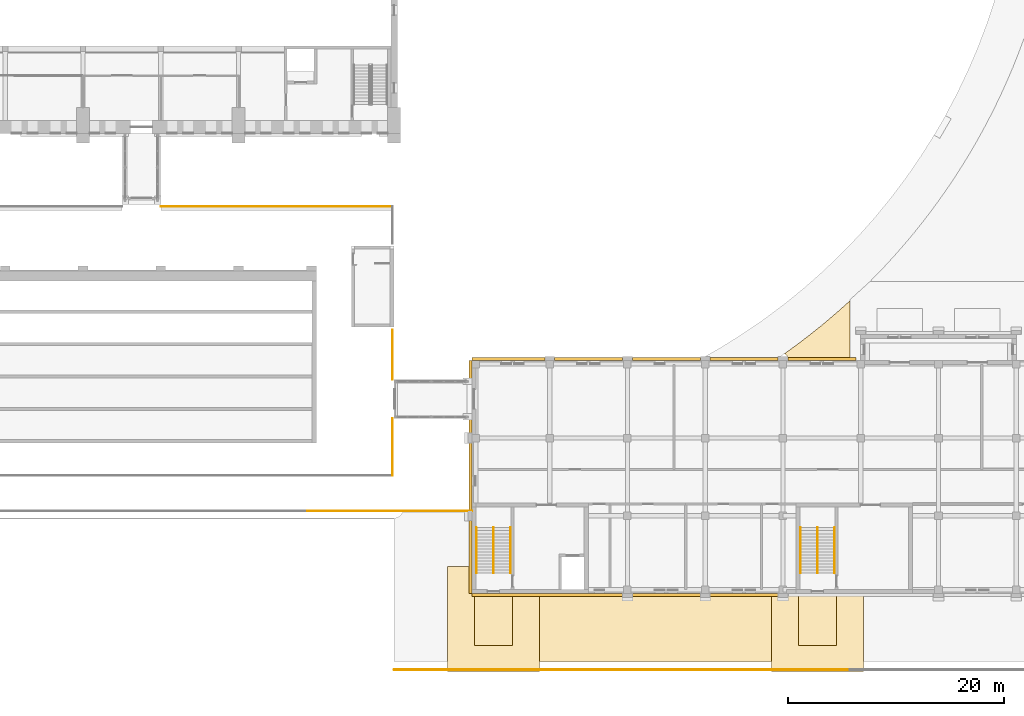
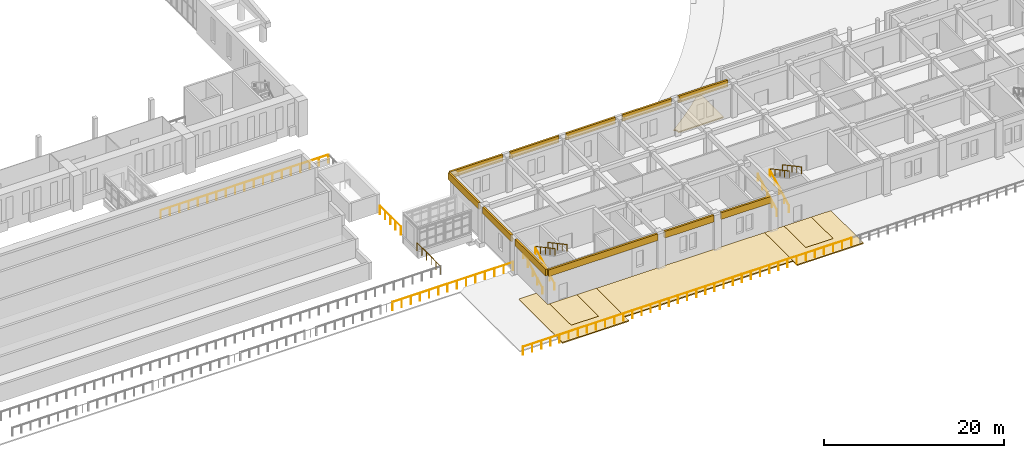
# One storey, part 121 of 131: 17 coverings, 16 railings.
"""IFC4 building model written with IfcOpenShell, lengths in metres."""

import ifcopenshell
import ifcopenshell.guid

model = None  # the IFC model being written
_history = None  # IfcOwnerHistory: only IFC2X3 demands one
_inside = {}  # id of a spatial element -> (the spatial element, [elements in it])
_under = {}  # id of a project, library or spatial element -> (it, [spatial elements below it])
_declared = {}  # id of a project -> (the project, [libraries it declares])
_typed = {}  # id of a type object -> (the type object, [elements of that type])
_made_of = {}  # id of a material, layer set ... -> (it, [elements and type objects made of it])


def new_model(schema):
    """Start an empty IFC model of exactly this schema.

    Asked for "IFC4X3", IfcOpenShell would pick the latest addendum, in which some entities
    have other attributes; the version numbers below select the first issue.
    IFC2X3 requires an IfcOwnerHistory on every rooted entity: one is made here for all.
    """
    global model, _history
    if schema == "IFC4X3":
        model = ifcopenshell.file(schema_version=(4, 3, 0, 0))
    else:
        model = ifcopenshell.file(schema=schema)
    _inside.clear()
    _under.clear()
    _declared.clear()
    _typed.clear()
    _made_of.clear()
    _history = None
    if model.schema == "IFC2X3":
        org = make("IfcOrganization", Name="unknown")
        user = make(
            "IfcPersonAndOrganization",
            ThePerson=make("IfcPerson", FamilyName="unknown"),
            TheOrganization=org,
        )
        app = make(
            "IfcApplication",
            ApplicationDeveloper=org,
            Version="unknown",
            ApplicationFullName="unknown",
            ApplicationIdentifier="unknown",
        )
        _history = make(
            "IfcOwnerHistory",
            OwningUser=user,
            OwningApplication=app,
            ChangeAction="ADDED",
            CreationDate=0,
        )
    return model


def make(cls, **values):
    """One entity of the class cls with the attributes given. An attribute that is None is left unset."""
    return model.create_entity(
        cls, **{name: value for name, value in values.items() if value is not None}
    )


def rooted(cls, **values):
    """An entity with a GlobalId (a new one), such as an element, a storey or a relation."""
    return make(cls, GlobalId=ifcopenshell.guid.new(), OwnerHistory=_history, **values)


def si_unit(unit_type, name, prefix=None):
    """IfcSIUnit, for example si_unit("LENGTHUNIT", "METRE", prefix="MILLI")."""
    return make("IfcSIUnit", UnitType=unit_type, Prefix=prefix, Name=name)


def assignment(units):
    """IfcUnitAssignment: the units of a project."""
    return None if units is None else make("IfcUnitAssignment", Units=units)


def point(xyz):
    """IfcCartesianPoint."""
    return None if xyz is None else make("IfcCartesianPoint", Coordinates=xyz)


def direction(xyz):
    """IfcDirection."""
    return None if xyz is None else make("IfcDirection", DirectionRatios=xyz)


def frame(location, z_axis=None, x_axis=None):
    """IfcAxis2Placement3D, a coordinate frame: its origin and axes. An axis left out is left unset."""
    return make(
        "IfcAxis2Placement3D",
        Location=point(location),
        Axis=direction(z_axis),
        RefDirection=direction(x_axis),
    )


def frame_2d(location, x_axis=None):
    """IfcAxis2Placement2D, a coordinate frame in the plane: its origin and x axis."""
    return make(
        "IfcAxis2Placement2D", Location=point(location), RefDirection=direction(x_axis)
    )


def origin():
    """The frame at (0, 0, 0) with its axes left unset."""
    return frame((0.0, 0.0, 0.0))


def origin_2d():
    """The frame at (0, 0) in the plane with its x axis left unset."""
    return frame_2d((0.0, 0.0))


def place(relative_to, where):
    """IfcLocalPlacement: puts the frame where relative to a parent placement (None: the world)."""
    return make(
        "IfcLocalPlacement", PlacementRelTo=relative_to, RelativePlacement=where
    )


def context(
    kind, dimensions, precision=None, world=None, true_north=None, identifier=None
):
    """IfcGeometricRepresentationContext, for example the 3D "Model" context."""
    return make(
        "IfcGeometricRepresentationContext",
        ContextIdentifier=identifier,
        ContextType=kind,
        CoordinateSpaceDimension=dimensions,
        Precision=precision,
        WorldCoordinateSystem=world,
        TrueNorth=true_north,
    )


def subcontext(parent, identifier, kind, view, scale=None):
    """IfcGeometricRepresentationSubContext, for example "Body" below "Model"."""
    return make(
        "IfcGeometricRepresentationSubContext",
        ContextIdentifier=identifier,
        ContextType=kind,
        ParentContext=parent,
        TargetScale=scale,
        TargetView=view,
    )


def project(units=None, contexts=None):
    """IfcProject with its units and contexts."""
    return rooted(
        "IfcProject",
        Name="project",
        RepresentationContexts=contexts,
        UnitsInContext=assignment(units),
    )


def spatial(cls, under=None, at=None, **own):
    """A site, building, storey or space (cls), placed at a placement, below another one or the project."""
    s = rooted(cls, ObjectPlacement=at, **own)
    if under is not None:
        _under.setdefault(under.id(), (under, []))[1].append(s)
    return s


def polyline(points):
    """IfcPolyline through the points."""
    return make("IfcPolyline", Points=[point(p) for p in points])


def profile(cls, at=None, kind="AREA", **sizes):
    """A parametric profile (cls). Its sizes go by their IFC names, for example OverallWidth=200.0."""
    return make(cls, ProfileType=kind, Position=at, **sizes)


def rectangle(**sizes):
    """IfcRectangleProfileDef."""
    return profile("IfcRectangleProfileDef", **sizes)


def circle(**sizes):
    """IfcCircleProfileDef."""
    return profile("IfcCircleProfileDef", **sizes)


def outline(outer, holes=None, kind="AREA"):
    """IfcArbitraryClosedProfileDef: a profile drawn as a closed curve; with holes, ...WithVoids."""
    if holes is None:
        return make("IfcArbitraryClosedProfileDef", ProfileType=kind, OuterCurve=outer)
    return make(
        "IfcArbitraryProfileDefWithVoids",
        ProfileType=kind,
        OuterCurve=outer,
        InnerCurves=holes,
    )


def extrude(swept, where, along, depth):
    """IfcExtrudedAreaSolid: the profile swept, set in the frame where, extruded along a direction by depth."""
    return make(
        "IfcExtrudedAreaSolid",
        SweptArea=swept,
        Position=where,
        ExtrudedDirection=direction(along),
        Depth=depth,
    )


def shape(context_of_items, identifier, shape_type, items):
    """IfcShapeRepresentation: the items that make up one representation, for example the "Body"."""
    return make(
        "IfcShapeRepresentation",
        ContextOfItems=context_of_items,
        RepresentationIdentifier=identifier,
        RepresentationType=shape_type,
        Items=items,
    )


def material(Name=None, Category=None):
    """IfcMaterial."""
    return make("IfcMaterial", Name=Name, Category=Category)


def layer(
    of_material, thickness, ventilated=None, Name=None, Category=None, Priority=None
):
    """IfcMaterialLayer: one layer of a wall or slab, of a material (None: an air gap)."""
    return make(
        "IfcMaterialLayer",
        Material=of_material,
        LayerThickness=thickness,
        IsVentilated=ventilated,
        Name=Name,
        Category=Category,
        Priority=Priority,
    )


def layer_set(layers, Name=None):
    """IfcMaterialLayerSet."""
    return make("IfcMaterialLayerSet", MaterialLayers=layers, LayerSetName=Name)


def made_of(thing, what):
    """Note that an element or type object is made of a material, layer set ...; save() writes the relation."""
    if what is not None:
        _made_of.setdefault(what.id(), (what, []))[1].append(thing)
    return thing


def type_object(cls, material=None, **own):
    """A type object (cls), such as IfcWallType, which elements share."""
    return made_of(rooted(cls, **own), material)


def element(
    cls,
    number,
    at=None,
    inside=None,
    cuts=None,
    type_object=None,
    material=None,
    context=None,
    identifier="Body",
    shape_type=None,
    held_by="IfcProductDefinitionShape",
    body=None,
    shapes=None,
    **own,
):
    """One element of the class cls, such as IfcWall. Its Tag is "e" and its number.

    at: its placement. inside: the storey or other place that contains it. cuts: it is an
    opening in that element (IfcRelVoidsElement). A single representation is given by context,
    identifier, shape_type and body (its items); several are given by shapes. held_by: the class
    of the entity that holds the representations. save() writes the other relations.
    """
    e = rooted(cls, Tag="e%d" % number, ObjectPlacement=at, **own)
    if body is not None:
        shapes = [shape(context, identifier, shape_type, body)]
    if shapes is not None:
        e.Representation = make(held_by, Representations=shapes)
    if inside is not None:
        _inside.setdefault(inside.id(), (inside, []))[1].append(e)
    if cuts is not None:
        rooted(
            "IfcRelVoidsElement", RelatingBuildingElement=cuts, RelatedOpeningElement=e
        )
    if type_object is not None:
        _typed.setdefault(type_object.id(), (type_object, []))[1].append(e)
    return made_of(e, material)


def aggregate(whole, parts):
    """IfcRelAggregates: a whole, such as a stair, and the parts it consists of."""
    return rooted("IfcRelAggregates", RelatingObject=whole, RelatedObjects=parts)


def save(model, path):
    """Write the relations noted so far, then the file.

    IfcRelAggregates (storeys below a building ...), IfcRelContainedInSpatialStructure (elements
    in a storey), IfcRelDefinesByType, IfcRelAssociatesMaterial and IfcRelDeclares: one each for
    every whole, place, type object, material and project.
    """
    for whole, parts in _under.values():
        aggregate(whole, parts)
    for where, things in _inside.values():
        rooted(
            "IfcRelContainedInSpatialStructure",
            RelatedElements=things,
            RelatingStructure=where,
        )
    for kind, things in _typed.values():
        rooted("IfcRelDefinesByType", RelatedObjects=things, RelatingType=kind)
    for what, things in _made_of.values():
        rooted("IfcRelAssociatesMaterial", RelatedObjects=things, RelatingMaterial=what)
    for by, libraries in _declared.values():
        rooted("IfcRelDeclares", RelatingContext=by, RelatedDefinitions=libraries)
    model.write(path)


model = new_model("IFC4")

# Units and contexts
model_context = context("Model", 3, precision=1e-05, world=origin(), true_north=direction((0.0, 1.0)))
body_context = subcontext(model_context, "Body", "Model", "MODEL_VIEW")
ifc_project = project(units=[si_unit("LENGTHUNIT", "METRE"), si_unit("AREAUNIT", "SQUARE_METRE"), si_unit("VOLUMEUNIT", "CUBIC_METRE"), si_unit("PLANEANGLEUNIT", "RADIAN"), si_unit("MASSUNIT", "GRAM", prefix="KILO")], contexts=[model_context])

# Site, building, storey
site_placement = place(None, origin())
site = spatial("IfcSite", under=ifc_project, at=site_placement, CompositionType="ELEMENT")
building_placement = place(site_placement, origin())
building = spatial("IfcBuilding", under=site, at=building_placement, Name="Alderwick Market Hall", CompositionType="ELEMENT")
storey_placement = place(building_placement, frame((0.0, 0.0, 4.800048828125)))
storey = spatial("IfcBuildingStorey", under=building, at=storey_placement, Name="L00", CompositionType="ELEMENT", Elevation=4.800048828125)

# Railings
ifc_material_1 = material(Name="Steel ASTM A500 Grade C", Category="steel")
railing_type_1 = type_object("IfcRailingType", Name="A Roof Guard 1100", PredefinedType="GUARDRAIL", material=ifc_material_1)
railing_1_placement = place(storey_placement, frame((129.60009765625, 43.050048828125, 0.0)))
element("IfcRailing", 1, at=railing_1_placement, inside=storey, type_object=railing_type_1, Name="Roof guard", PredefinedType="GUARDRAIL", context=body_context, shape_type="SweptSolid", body=[
    extrude(circle(Radius=0.02392578125, at=origin_2d()), frame((0.0, 0.0, 1.076171875), z_axis=(1.0, 0.0, 0.0), x_axis=(0.0, 1.0, 0.0)), (0.0, 0.0, 1.0), 21.449951171875),
    extrude(circle(Radius=0.02099609375, at=origin_2d()), origin(), (0.0, 0.0, 1.0), 1.052001953125),
    extrude(circle(Radius=0.02099609375, at=origin_2d()), frame((1.191650390625, 0.0, 0.0)), (0.0, 0.0, 1.0), 1.052001953125),
    extrude(circle(Radius=0.02099609375, at=origin_2d()), frame((2.38330078125, 0.0, 0.0)), (0.0, 0.0, 1.0), 1.052001953125),
    extrude(circle(Radius=0.02099609375, at=origin_2d()), frame((3.574951171875, 0.0, 0.0)), (0.0, 0.0, 1.0), 1.052001953125),
    extrude(circle(Radius=0.02099609375, at=origin_2d()), frame((4.7666015625, 0.0, 0.0)), (0.0, 0.0, 1.0), 1.052001953125),
    extrude(circle(Radius=0.02099609375, at=origin_2d()), frame((5.958251953125, 0.0, 0.0)), (0.0, 0.0, 1.0), 1.052001953125),
    extrude(circle(Radius=0.02099609375, at=origin_2d()), frame((7.14990234375, 0.0, 0.0)), (0.0, 0.0, 1.0), 1.052001953125),
    extrude(circle(Radius=0.02099609375, at=origin_2d()), frame((8.341552734375, 0.0, 0.0)), (0.0, 0.0, 1.0), 1.052001953125),
    extrude(circle(Radius=0.02099609375, at=origin_2d()), frame((9.533203125, 0.0, 0.0)), (0.0, 0.0, 1.0), 1.052001953125),
    extrude(circle(Radius=0.02099609375, at=origin_2d()), frame((10.72509765625, 0.0, 0.0)), (0.0, 0.0, 1.0), 1.052001953125),
    extrude(circle(Radius=0.02099609375, at=origin_2d()), frame((11.916748046875, 0.0, 0.0)), (0.0, 0.0, 1.0), 1.052001953125),
    extrude(circle(Radius=0.02099609375, at=origin_2d()), frame((13.1083984375, 0.0, 0.0)), (0.0, 0.0, 1.0), 1.052001953125),
    extrude(circle(Radius=0.02099609375, at=origin_2d()), frame((14.300048828125, 0.0, 0.0)), (0.0, 0.0, 1.0), 1.052001953125),
    extrude(circle(Radius=0.02099609375, at=origin_2d()), frame((15.49169921875, 0.0, 0.0)), (0.0, 0.0, 1.0), 1.052001953125),
    extrude(circle(Radius=0.02099609375, at=origin_2d()), frame((16.683349609375, 0.0, 0.0)), (0.0, 0.0, 1.0), 1.052001953125),
    extrude(circle(Radius=0.02099609375, at=origin_2d()), frame((17.875, 0.0, 0.0)), (0.0, 0.0, 1.0), 1.052001953125),
    extrude(circle(Radius=0.02099609375, at=origin_2d()), frame((19.066650390625, 0.0, 0.0)), (0.0, 0.0, 1.0), 1.052001953125),
    extrude(circle(Radius=0.02099609375, at=origin_2d()), frame((20.25830078125, 0.0, 0.0)), (0.0, 0.0, 1.0), 1.052001953125),
    extrude(circle(Radius=0.02099609375, at=origin_2d()), frame((21.449951171875, 0.0, 0.0)), (0.0, 0.0, 1.0), 1.052001953125),
])
railing_2_placement = place(storey_placement, frame((151.050048828125, 31.60009765625, 0.0)))
element("IfcRailing", 2, at=railing_2_placement, inside=storey, type_object=railing_type_1, Name="Roof guard", PredefinedType="GUARDRAIL", context=body_context, shape_type="SweptSolid", body=[
    extrude(circle(Radius=0.02392578125, at=origin_2d()), frame((0.0, 0.0, 1.076171875), z_axis=(0.0, -1.0, 0.0), x_axis=(1.0, 0.0, 0.0)), (0.0, 0.0, 1.0), 4.60009765625),
    extrude(circle(Radius=0.02099609375, at=origin_2d()), origin(), (0.0, 0.0, 1.0), 1.052001953125),
    extrude(circle(Radius=0.02099609375, at=origin_2d()), frame((0.0, -1.14990234375, 0.0)), (0.0, 0.0, 1.0), 1.052001953125),
    extrude(circle(Radius=0.02099609375, at=origin_2d()), frame((0.0, -2.300048828125, 0.0)), (0.0, 0.0, 1.0), 1.052001953125),
    extrude(circle(Radius=0.02099609375, at=origin_2d()), frame((0.0, -3.4501953125, 0.0)), (0.0, 0.0, 1.0), 1.052001953125),
    extrude(circle(Radius=0.02099609375, at=origin_2d()), frame((0.0, -4.60009765625, 0.0)), (0.0, 0.0, 1.0), 1.052001953125),
])
railing_3_placement = place(storey_placement, frame((151.050048828125, 23.39990234375, 0.0)))
element("IfcRailing", 3, at=railing_3_placement, inside=storey, type_object=railing_type_1, Name="Roof guard", PredefinedType="GUARDRAIL", context=body_context, shape_type="SweptSolid", body=[
    extrude(circle(Radius=0.02392578125, at=origin_2d()), frame((0.0, 0.0, 1.076171875), z_axis=(0.0, -1.0, 0.0), x_axis=(1.0, 0.0, 0.0)), (0.0, 0.0, 1.0), 5.25),
    extrude(circle(Radius=0.02099609375, at=origin_2d()), origin(), (0.0, 0.0, 1.0), 1.052001953125),
    extrude(circle(Radius=0.02099609375, at=origin_2d()), frame((0.0, -1.050048828125, 0.0)), (0.0, 0.0, 1.0), 1.052001953125),
    extrude(circle(Radius=0.02099609375, at=origin_2d()), frame((0.0, -2.10009765625, 0.0)), (0.0, 0.0, 1.0), 1.052001953125),
    extrude(circle(Radius=0.02099609375, at=origin_2d()), frame((0.0, -3.14990234375, 0.0)), (0.0, 0.0, 1.0), 1.052001953125),
    extrude(circle(Radius=0.02099609375, at=origin_2d()), frame((0.0, -4.199951171875, 0.0)), (0.0, 0.0, 1.0), 1.052001953125),
    extrude(circle(Radius=0.02099609375, at=origin_2d()), frame((0.0, -5.25, 0.0)), (0.0, 0.0, 1.0), 1.052001953125),
])
railing_type_2 = type_object("IfcRailingType", Name="C Stair Handrail 900", PredefinedType="HANDRAIL", material=ifc_material_1)
for number, where, name in (
    (4, (158.820068359375, 9.10009765625, 0.14990234375), "C.rail.L00.A.1"),
    (5, (160.3798828125, 9.10009765625, 0.14990234375), "C.rail.L00.A.2"),
):
    element("IfcRailing", number, at=place(storey_placement, frame(where)), inside=storey, type_object=railing_type_2, Name=name, PredefinedType="HANDRAIL", context=body_context, shape_type="SweptSolid", body=[
        extrude(circle(Radius=0.02392578125, at=origin_2d()), frame((0.0, 0.0, 0.8759765625), z_axis=(0.0, 0.881477684796, 0.472225678258), x_axis=(-1.0, 0.0, 0.0)), (0.0, 0.0, 1.0), 4.7646484375),
        extrude(circle(Radius=0.02099609375, at=origin_2d()), origin(), (0.0, 0.0, 1.0), 0.851806640625),
        extrude(circle(Radius=0.02099609375, at=origin_2d()), frame((0.0, 1.050048828125, 0.5625)), (0.0, 0.0, 1.0), 0.851806640625),
        extrude(circle(Radius=0.02099609375, at=origin_2d()), frame((0.0, 2.10009765625, 1.125)), (0.0, 0.0, 1.0), 0.851806640625),
        extrude(circle(Radius=0.02099609375, at=origin_2d()), frame((0.0, 3.14990234375, 1.6875)), (0.0, 0.0, 1.0), 0.851806640625),
        extrude(circle(Radius=0.02099609375, at=origin_2d()), frame((0.0, 4.199951171875, 2.25)), (0.0, 0.0, 1.0), 0.851806640625),
    ])
for number, where, name in (
    (6, (160.419921875, 13.300048828125, 2.550048828125), "C.rail.L00.A.3"),
    (7, (161.97998046875, 13.300048828125, 2.550048828125), "C.rail.L00.A.4"),
):
    element("IfcRailing", number, at=place(storey_placement, frame(where)), inside=storey, type_object=railing_type_2, Name=name, PredefinedType="HANDRAIL", context=body_context, shape_type="SweptSolid", body=[
        extrude(circle(Radius=0.02392578125, at=origin_2d()), frame((0.0, 0.0, 0.8759765625), z_axis=(0.0, -0.881477684796, 0.472225678258), x_axis=(1.0, 0.0, 0.0)), (0.0, 0.0, 1.0), 4.7646484375),
        extrude(circle(Radius=0.02099609375, at=origin_2d()), origin(), (0.0, 0.0, 1.0), 0.851806640625),
        extrude(circle(Radius=0.02099609375, at=origin_2d()), frame((0.0, -1.050048828125, 0.5625)), (0.0, 0.0, 1.0), 0.851806640625),
        extrude(circle(Radius=0.02099609375, at=origin_2d()), frame((0.0, -2.10009765625, 1.125)), (0.0, 0.0, 1.0), 0.851806640625),
        extrude(circle(Radius=0.02099609375, at=origin_2d()), frame((0.0, -3.14990234375, 1.6875)), (0.0, 0.0, 1.0), 0.851806640625),
        extrude(circle(Radius=0.02099609375, at=origin_2d()), frame((0.0, -4.199951171875, 2.25)), (0.0, 0.0, 1.0), 0.851806640625),
    ])
for number, where, name in (
    (8, (188.820068359375, 9.10009765625, 0.14990234375), "C.rail.L00.B.1"),
    (9, (190.3798828125, 9.10009765625, 0.14990234375), "C.rail.L00.B.2"),
):
    element("IfcRailing", number, at=place(storey_placement, frame(where)), inside=storey, type_object=railing_type_2, Name=name, PredefinedType="HANDRAIL", context=body_context, shape_type="SweptSolid", body=[
        extrude(circle(Radius=0.02392578125, at=origin_2d()), frame((0.0, 0.0, 0.8759765625), z_axis=(0.0, 0.881477684796, 0.472225678258), x_axis=(-1.0, 0.0, 0.0)), (0.0, 0.0, 1.0), 4.7646484375),
        extrude(circle(Radius=0.02099609375, at=origin_2d()), origin(), (0.0, 0.0, 1.0), 0.851806640625),
        extrude(circle(Radius=0.02099609375, at=origin_2d()), frame((0.0, 1.050048828125, 0.5625)), (0.0, 0.0, 1.0), 0.851806640625),
        extrude(circle(Radius=0.02099609375, at=origin_2d()), frame((0.0, 2.10009765625, 1.125)), (0.0, 0.0, 1.0), 0.851806640625),
        extrude(circle(Radius=0.02099609375, at=origin_2d()), frame((0.0, 3.14990234375, 1.6875)), (0.0, 0.0, 1.0), 0.851806640625),
        extrude(circle(Radius=0.02099609375, at=origin_2d()), frame((0.0, 4.199951171875, 2.25)), (0.0, 0.0, 1.0), 0.851806640625),
    ])
for number, where, name in (
    (10, (190.419921875, 13.300048828125, 2.550048828125), "C.rail.L00.B.3"),
    (11, (191.97998046875, 13.300048828125, 2.550048828125), "C.rail.L00.B.4"),
):
    element("IfcRailing", number, at=place(storey_placement, frame(where)), inside=storey, type_object=railing_type_2, Name=name, PredefinedType="HANDRAIL", context=body_context, shape_type="SweptSolid", body=[
        extrude(circle(Radius=0.02392578125, at=origin_2d()), frame((0.0, 0.0, 0.8759765625), z_axis=(0.0, -0.881477684796, 0.472225678258), x_axis=(1.0, 0.0, 0.0)), (0.0, 0.0, 1.0), 4.7646484375),
        extrude(circle(Radius=0.02099609375, at=origin_2d()), origin(), (0.0, 0.0, 1.0), 0.851806640625),
        extrude(circle(Radius=0.02099609375, at=origin_2d()), frame((0.0, -1.050048828125, 0.5625)), (0.0, 0.0, 1.0), 0.851806640625),
        extrude(circle(Radius=0.02099609375, at=origin_2d()), frame((0.0, -2.10009765625, 1.125)), (0.0, 0.0, 1.0), 0.851806640625),
        extrude(circle(Radius=0.02099609375, at=origin_2d()), frame((0.0, -3.14990234375, 1.6875)), (0.0, 0.0, 1.0), 0.851806640625),
        extrude(circle(Radius=0.02099609375, at=origin_2d()), frame((0.0, -4.199951171875, 2.25)), (0.0, 0.0, 1.0), 0.851806640625),
    ])

# Coverings
ifc_material_2 = material(Name="Cast stone 5000 psi", Category="masonry")
ifc_layer_1 = layer(ifc_material_2, 0.25)
ifc_layer_set_1 = layer_set([ifc_layer_1], Name="Cast stone 5000 psi")
covering_type_1 = type_object("IfcCoveringType", Name="C String Course Cast Stone 250x900", PredefinedType="CLADDING", material=ifc_layer_set_1)
covering_1_placement = place(storey_placement, frame((158.39990234375, 28.925048828125, 3.89990234375), z_axis=(0.0, 0.0, 1.0), x_axis=(1.0, 0.0, 0.0)))
element("IfcCovering", 12, at=covering_1_placement, inside=storey, type_object=covering_type_1, Name="C.wall.L00.band.front.01", PredefinedType="CLADDING", context=body_context, shape_type="SweptSolid", body=[
    extrude(rectangle(XDim=6.75, YDim=0.25, at=frame_2d((3.375, 0.0))), origin(), (0.0, 0.0, 1.0), 0.900146484375),
])
for number, where, z_axis, x_axis, name in (
    (13, (166.050048828125, 28.925048828125, 3.89990234375), (0.0, 0.0, 1.0), (1.0, 0.0, 0.0), "C.wall.L00.band.front.02"),
    (14, (173.25, 28.925048828125, 3.89990234375), (0.0, 0.0, 1.0), (1.0, 0.0, 0.0), "C.wall.L00.band.front.03"),
    (15, (180.449951171875, 28.925048828125, 3.89990234375), (0.0, 0.0, 1.0), (1.0, 0.0, 0.0), "C.wall.L00.band.front.04"),
    (16, (187.64990234375, 28.925048828125, 3.89990234375), (0.0, 0.0, 1.0), (1.0, 0.0, 0.0), "C.wall.L00.band.front.05"),
):
    element("IfcCovering", number, at=place(storey_placement, frame(where, z_axis=z_axis, x_axis=x_axis)), inside=storey, type_object=covering_type_1, Name=name, PredefinedType="CLADDING", context=body_context, shape_type="SweptSolid", body=[
        extrude(rectangle(XDim=6.300048828125, YDim=0.25, at=frame_2d((3.14990234375, 0.0))), origin(), (0.0, 0.0, 1.0), 0.900146484375),
    ])
covering_2_placement = place(storey_placement, frame((172.35009765625, 7.074951171875, 3.89990234375), z_axis=(0.0, 0.0, 1.0), x_axis=(-1.0, 0.0, 0.0)))
element("IfcCovering", 17, at=covering_2_placement, inside=storey, type_object=covering_type_1, Name="C.wall.L00.band.back.01", PredefinedType="CLADDING", context=body_context, shape_type="SweptSolid", body=[
    extrude(rectangle(XDim=13.9501953125, YDim=0.25, at=frame_2d((6.97509765625, 0.0))), origin(), (0.0, 0.0, 1.0), 0.900146484375),
])
for number, where, z_axis, x_axis, name in (
    (18, (179.550048828125, 7.074951171875, 3.89990234375), (0.0, 0.0, 1.0), (-1.0, 0.0, 0.0), "C.wall.L00.band.back.02"),
    (19, (186.75, 7.074951171875, 3.89990234375), (0.0, 0.0, 1.0), (-1.0, 0.0, 0.0), "C.wall.L00.band.back.03"),
):
    element("IfcCovering", number, at=place(storey_placement, frame(where, z_axis=z_axis, x_axis=x_axis)), inside=storey, type_object=covering_type_1, Name=name, PredefinedType="CLADDING", context=body_context, shape_type="SweptSolid", body=[
        extrude(rectangle(XDim=6.300048828125, YDim=0.25, at=frame_2d((3.14990234375, 0.0))), origin(), (0.0, 0.0, 1.0), 0.900146484375),
    ])
covering_3_placement = place(storey_placement, frame((158.27490234375, 22.050048828125, 3.89990234375), z_axis=(0.0, 0.0, 1.0), x_axis=(0.0, 1.0, 0.0)))
element("IfcCovering", 20, at=covering_3_placement, inside=storey, type_object=covering_type_1, Name="C.wall.L00.band.west.01", PredefinedType="CLADDING", context=body_context, shape_type="SweptSolid", body=[
    extrude(rectangle(XDim=6.75, YDim=0.25, at=frame_2d((3.375, 0.0))), origin(), (0.0, 0.0, 1.0), 0.900146484375),
])
covering_4_placement = place(storey_placement, frame((158.27490234375, 14.85009765625, 3.89990234375), z_axis=(0.0, 0.0, 1.0), x_axis=(0.0, 1.0, 0.0)))
element("IfcCovering", 21, at=covering_4_placement, inside=storey, type_object=covering_type_1, Name="C.wall.L00.band.west.02", PredefinedType="CLADDING", context=body_context, shape_type="SweptSolid", body=[
    extrude(rectangle(XDim=6.2998046875, YDim=0.25, at=frame_2d((3.14990234375, 0.0))), origin(), (0.0, 0.0, 1.0), 0.900146484375),
])
covering_5_placement = place(storey_placement, frame((158.27490234375, 7.199951171875, 3.89990234375), z_axis=(0.0, 0.0, 1.0), x_axis=(0.0, 1.0, 0.0)))
element("IfcCovering", 22, at=covering_5_placement, inside=storey, type_object=covering_type_1, Name="C.wall.L00.band.west.03", PredefinedType="CLADDING", context=body_context, shape_type="SweptSolid", body=[
    extrude(rectangle(XDim=6.75, YDim=0.25, at=frame_2d((3.375, 0.0))), origin(), (0.0, 0.0, 1.0), 0.900146484375),
])
ifc_material_3 = material(Name="Granite setts on concrete bed", Category="masonry")
ifc_layer_2 = layer(ifc_material_3, 0.14990234375)
ifc_layer_set_2 = layer_set([ifc_layer_2], Name="Granite setts on concrete bed")
covering_type_2 = type_object("IfcCoveringType", Name="S Forecourt Paving 150", PredefinedType="USERDEFINED", material=ifc_layer_set_2)
covering_6_placement = place(storey_placement, frame((0.0, 0.0, -0.150146484375)))
element("IfcCovering", 23, at=covering_6_placement, inside=storey, type_object=covering_type_2, Name="Forecourt 19", ObjectType="PAVING", PredefinedType="USERDEFINED", context=body_context, shape_type="SweptSolid", body=[
    extrude(outline(polyline([(188.64990234375, 7.199951171875), (188.64990234375, 2.39990234375), (192.14990234375, 2.39990234375), (192.14990234375, 7.199951171875), (188.64990234375, 7.199951171875)])), origin(), (0.0, 0.0, 1.0), 0.150146484375),
])
covering_7_placement = place(storey_placement, frame((0.0, 0.0, -0.150146484375)))
element("IfcCovering", 24, at=covering_7_placement, inside=storey, type_object=covering_type_2, Name="Forecourt 21", ObjectType="PAVING", PredefinedType="USERDEFINED", context=body_context, shape_type="SweptSolid", body=[
    extrude(outline(polyline([(158.64990234375, 2.39990234375), (162.14990234375, 2.39990234375), (162.14990234375, 7.199951171875), (158.64990234375, 7.199951171875), (158.64990234375, 2.39990234375)])), origin(), (0.0, 0.0, 1.0), 0.150146484375),
])
ifc_material_4 = material(Name="Compacted gravel and turf on till")
ifc_layer_3 = layer(ifc_material_4, 0.14990234375)
ifc_layer_set_3 = layer_set([ifc_layer_3], Name="Compacted gravel and turf on till")
covering_type_3 = type_object("IfcCoveringType", Name="S Ground Paving 150", PredefinedType="USERDEFINED", material=ifc_layer_set_3)
covering_8_placement = place(storey_placement, frame((0.0, 0.0, -0.150146484375)))
element("IfcCovering", 25, at=covering_8_placement, inside=storey, type_object=covering_type_3, Name="Ground 07", ObjectType="GROUND", PredefinedType="USERDEFINED", context=body_context, shape_type="SweptSolid", body=[
    extrude(outline(polyline([(187.372314453125, 29.390625), (187.518310546875, 29.293212890625), (187.61572265625, 29.147216796875), (187.64990234375, 28.97509765625), (187.61572265625, 28.802734375), (187.614013671875, 28.800048828125), (193.39990234375, 28.800048828125), (193.39990234375, 34.310791015625), (192.9169921875, 33.8681640625), (192.11962890625, 33.16259765625), (191.31005859375, 32.47119140625), (190.997314453125, 32.21337890625), (190.80419921875, 32.03857421875), (190.613037109375, 31.896728515625), (190.488525390625, 31.794189453125), (189.6552734375, 31.13134765625), (188.810791015625, 30.483154296875), (187.954833984375, 29.85009765625), (187.324462890625, 29.400146484375), (187.372314453125, 29.390625)])), origin(), (0.0, 0.0, 1.0), 0.150146484375),
])
covering_9_placement = place(storey_placement, frame((0.0, 0.0, -0.150146484375)))
element("IfcCovering", 26, at=covering_9_placement, inside=storey, type_object=covering_type_3, Name="Ground 09", ObjectType="GROUND", PredefinedType="USERDEFINED", context=body_context, shape_type="SweptSolid", body=[
    extrude(outline(polyline([(179.7294921875, 7.199951171875), (173.070556640625, 7.199951171875), (172.97216796875, 7.13427734375), (172.800048828125, 7.10009765625), (172.627685546875, 7.13427734375), (172.529296875, 7.199951171875), (164.64990234375, 7.199951171875), (164.64990234375, 0.909912109375), (186.14990234375, 0.909912109375), (186.14990234375, 7.199951171875), (180.2705078125, 7.199951171875), (180.172119140625, 7.13427734375), (180.0, 7.10009765625), (179.827880859375, 7.13427734375), (179.7294921875, 7.199951171875)])), origin(), (0.0, 0.0, 1.0), 0.150146484375),
])

# Railings
railing_type_3 = type_object("IfcRailingType", Name="S Guard 1100", PredefinedType="GUARDRAIL", material=ifc_material_1)
railing_4_placement = place(storey_placement, frame((158.39990234375, 14.85009765625, 0.0)))
element("IfcRailing", 27, at=railing_4_placement, inside=storey, type_object=railing_type_3, Name="Guard S.01", PredefinedType="GUARDRAIL", context=body_context, shape_type="SweptSolid", body=[
    extrude(circle(Radius=0.02490234375, at=origin_2d()), frame((0.0, 0.0, 1.0751953125), z_axis=(-1.0, 0.0, 0.0), x_axis=(0.0, -1.0, 0.0)), (0.0, 0.0, 1.0), 7.199951171875),
    extrude(circle(Radius=0.02001953125, at=origin_2d()), origin(), (0.0, 0.0, 1.0), 1.050048828125),
    extrude(circle(Radius=0.02001953125, at=origin_2d()), frame((-1.199951171875, 0.0, 0.0)), (0.0, 0.0, 1.0), 1.050048828125),
    extrude(circle(Radius=0.02001953125, at=origin_2d()), frame((-2.39990234375, 0.0, 0.0)), (0.0, 0.0, 1.0), 1.050048828125),
    extrude(circle(Radius=0.02001953125, at=origin_2d()), frame((-3.60009765625, 0.0, 0.0)), (0.0, 0.0, 1.0), 1.050048828125),
    extrude(circle(Radius=0.02001953125, at=origin_2d()), frame((-4.800048828125, 0.0, 0.0)), (0.0, 0.0, 1.0), 1.050048828125),
    extrude(circle(Radius=0.02001953125, at=origin_2d()), frame((-6.0, 0.0, 0.0)), (0.0, 0.0, 1.0), 1.050048828125),
    extrude(circle(Radius=0.02001953125, at=origin_2d()), frame((-7.199951171875, 0.0, 0.0)), (0.0, 0.0, 1.0), 1.050048828125),
])
railing_5_placement = place(storey_placement, frame((151.199951171875, 14.85009765625, 0.0)))
element("IfcRailing", 28, at=railing_5_placement, inside=storey, type_object=railing_type_3, Name="Guard S.02", PredefinedType="GUARDRAIL", context=body_context, shape_type="SweptSolid", body=[
    extrude(circle(Radius=0.02490234375, at=origin_2d()), frame((0.0, 0.0, 1.0751953125), z_axis=(-1.0, 0.0, 0.0), x_axis=(0.0, -1.0, 0.0)), (0.0, 0.0, 1.0), 8.22900390625),
    extrude(circle(Radius=0.02001953125, at=origin_2d()), origin(), (0.0, 0.0, 1.0), 1.050048828125),
    extrude(circle(Radius=0.02001953125, at=origin_2d()), frame((-1.175537109375, 0.0, 0.0)), (0.0, 0.0, 1.0), 1.050048828125),
    extrude(circle(Radius=0.02001953125, at=origin_2d()), frame((-2.35107421875, 0.0, 0.0)), (0.0, 0.0, 1.0), 1.050048828125),
    extrude(circle(Radius=0.02001953125, at=origin_2d()), frame((-3.526611328125, 0.0, 0.0)), (0.0, 0.0, 1.0), 1.050048828125),
    extrude(circle(Radius=0.02001953125, at=origin_2d()), frame((-4.702392578125, 0.0, 0.0)), (0.0, 0.0, 1.0), 1.050048828125),
    extrude(circle(Radius=0.02001953125, at=origin_2d()), frame((-5.8779296875, 0.0, 0.0)), (0.0, 0.0, 1.0), 1.050048828125),
    extrude(circle(Radius=0.02001953125, at=origin_2d()), frame((-7.053466796875, 0.0, 0.0)), (0.0, 0.0, 1.0), 1.050048828125),
    extrude(circle(Radius=0.02001953125, at=origin_2d()), frame((-8.22900390625, 0.0, 0.0)), (0.0, 0.0, 1.0), 1.050048828125),
])
for number, where, name in (
    (29, (151.199951171875, 0.14990234375, 0.0), "Guard S01a"),
    (30, (165.199951171875, 0.14990234375, 0.0), "Guard S01b"),
    (31, (179.199951171875, 0.14990234375, 0.0), "Guard S01c"),
):
    element("IfcRailing", number, at=place(storey_placement, frame(where)), inside=storey, type_object=railing_type_3, Name=name, PredefinedType="GUARDRAIL", context=body_context, shape_type="SweptSolid", body=[
        extrude(circle(Radius=0.02490234375, at=origin_2d()), frame((0.0, 0.0, 1.0751953125), z_axis=(1.0, 0.0, 0.0), x_axis=(0.0, 1.0, 0.0)), (0.0, 0.0, 1.0), 14.0),
        extrude(circle(Radius=0.02001953125, at=origin_2d()), origin(), (0.0, 0.0, 1.0), 1.050048828125),
        extrude(circle(Radius=0.02001953125, at=origin_2d()), frame((1.166748046875, 0.0, 0.0)), (0.0, 0.0, 1.0), 1.050048828125),
        extrude(circle(Radius=0.02001953125, at=origin_2d()), frame((2.333251953125, 0.0, 0.0)), (0.0, 0.0, 1.0), 1.050048828125),
        extrude(circle(Radius=0.02001953125, at=origin_2d()), frame((3.5, 0.0, 0.0)), (0.0, 0.0, 1.0), 1.050048828125),
        extrude(circle(Radius=0.02001953125, at=origin_2d()), frame((4.666748046875, 0.0, 0.0)), (0.0, 0.0, 1.0), 1.050048828125),
        extrude(circle(Radius=0.02001953125, at=origin_2d()), frame((5.833251953125, 0.0, 0.0)), (0.0, 0.0, 1.0), 1.050048828125),
        extrude(circle(Radius=0.02001953125, at=origin_2d()), frame((7.0, 0.0, 0.0)), (0.0, 0.0, 1.0), 1.050048828125),
        extrude(circle(Radius=0.02001953125, at=origin_2d()), frame((8.166748046875, 0.0, 0.0)), (0.0, 0.0, 1.0), 1.050048828125),
        extrude(circle(Radius=0.02001953125, at=origin_2d()), frame((9.333251953125, 0.0, 0.0)), (0.0, 0.0, 1.0), 1.050048828125),
        extrude(circle(Radius=0.02001953125, at=origin_2d()), frame((10.5, 0.0, 0.0)), (0.0, 0.0, 1.0), 1.050048828125),
        extrude(circle(Radius=0.02001953125, at=origin_2d()), frame((11.666748046875, 0.0, 0.0)), (0.0, 0.0, 1.0), 1.050048828125),
        extrude(circle(Radius=0.02001953125, at=origin_2d()), frame((12.833251953125, 0.0, 0.0)), (0.0, 0.0, 1.0), 1.050048828125),
        extrude(circle(Radius=0.02001953125, at=origin_2d()), frame((14.0, 0.0, 0.0)), (0.0, 0.0, 1.0), 1.050048828125),
    ])

# Coverings
ifc_material_5 = material(Name="Turf on topsoil")
ifc_layer_4 = layer(ifc_material_5, 0.14990234375)
ifc_layer_set_4 = layer_set([ifc_layer_4], Name="Turf on topsoil")
covering_type_4 = type_object("IfcCoveringType", Name="S Lawn Turf 150", PredefinedType="USERDEFINED", material=ifc_layer_set_4)
covering_10_placement = place(storey_placement, frame((0.0, 0.0, -0.150146484375)))
element("IfcCovering", 32, at=covering_10_placement, inside=storey, type_object=covering_type_4, Name="Lawn 14", ObjectType="LAWN", PredefinedType="USERDEFINED", context=body_context, shape_type="SweptSolid", body=[
    extrude(outline(polyline([(188.64990234375, 7.199951171875), (186.14990234375, 7.199951171875), (186.14990234375, 0.0), (194.64990234375, 0.0), (194.64990234375, 7.199951171875), (192.14990234375, 7.199951171875), (192.14990234375, 2.39990234375), (188.64990234375, 2.39990234375), (188.64990234375, 7.199951171875)])), origin(), (0.0, 0.0, 1.0), 0.150146484375),
])
covering_11_placement = place(storey_placement, frame((0.0, 0.0, -0.150146484375)))
element("IfcCovering", 33, at=covering_11_placement, inside=storey, type_object=covering_type_4, Name="Lawn 17", ObjectType="LAWN", PredefinedType="USERDEFINED", context=body_context, shape_type="SweptSolid", body=[
    extrude(outline(polyline([(164.64990234375, 7.199951171875), (162.14990234375, 7.199951171875), (162.14990234375, 2.39990234375), (158.64990234375, 2.39990234375), (158.64990234375, 7.199951171875), (158.39990234375, 7.199951171875), (158.39990234375, 9.699951171875), (156.14990234375, 9.699951171875), (156.14990234375, 0.0), (164.64990234375, 0.0), (164.64990234375, 7.199951171875)])), origin(), (0.0, 0.0, 1.0), 0.150146484375),
])

save(model, "model.ifc")
